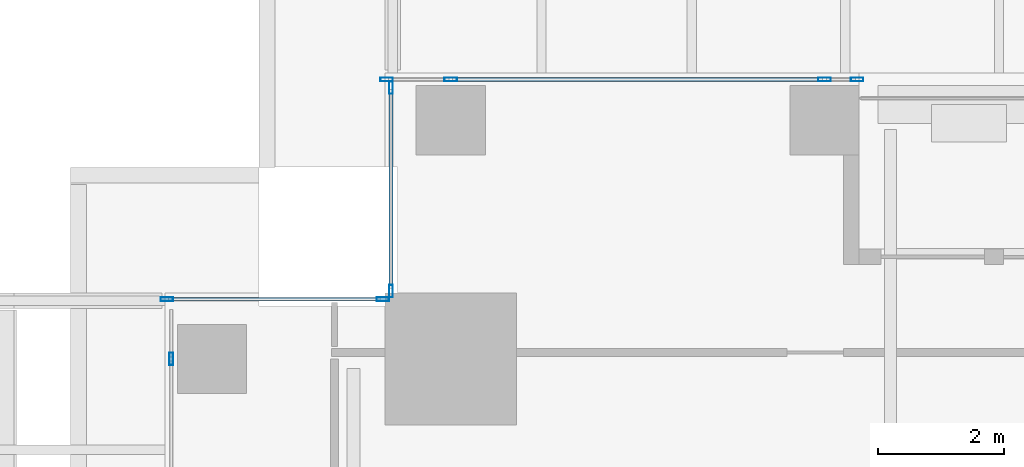
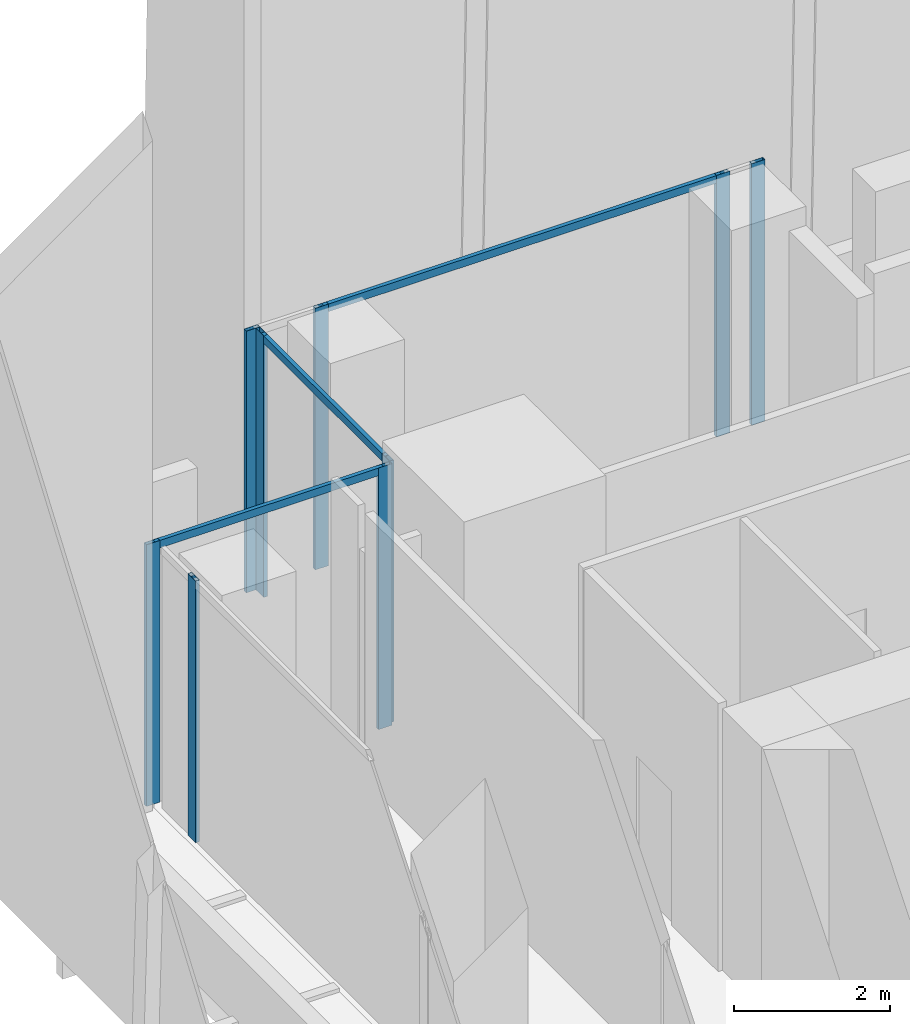
# One storey, part 14 of 37: 12 members, 4 elements without a shape of their own.
"""IFC4 building model written with IfcOpenShell, lengths in metres."""

import ifcopenshell
import ifcopenshell.guid

model = None  # the IFC model being written
_history = None  # IfcOwnerHistory: only IFC2X3 demands one
_inside = {}  # id of a spatial element -> (the spatial element, [elements in it])
_under = {}  # id of a project, library or spatial element -> (it, [spatial elements below it])
_declared = {}  # id of a project -> (the project, [libraries it declares])
_typed = {}  # id of a type object -> (the type object, [elements of that type])
_made_of = {}  # id of a material, layer set ... -> (it, [elements and type objects made of it])


def new_model(schema):
    """Start an empty IFC model of exactly this schema.

    Asked for "IFC4X3", IfcOpenShell would pick the latest addendum, in which some entities
    have other attributes; the version numbers below select the first issue.
    IFC2X3 requires an IfcOwnerHistory on every rooted entity: one is made here for all.
    """
    global model, _history
    if schema == "IFC4X3":
        model = ifcopenshell.file(schema_version=(4, 3, 0, 0))
    else:
        model = ifcopenshell.file(schema=schema)
    _inside.clear()
    _under.clear()
    _declared.clear()
    _typed.clear()
    _made_of.clear()
    _history = None
    if model.schema == "IFC2X3":
        org = make("IfcOrganization", Name="unknown")
        user = make(
            "IfcPersonAndOrganization",
            ThePerson=make("IfcPerson", FamilyName="unknown"),
            TheOrganization=org,
        )
        app = make(
            "IfcApplication",
            ApplicationDeveloper=org,
            Version="unknown",
            ApplicationFullName="unknown",
            ApplicationIdentifier="unknown",
        )
        _history = make(
            "IfcOwnerHistory",
            OwningUser=user,
            OwningApplication=app,
            ChangeAction="ADDED",
            CreationDate=0,
        )
    return model


def make(cls, **values):
    """One entity of the class cls with the attributes given. An attribute that is None is left unset."""
    return model.create_entity(
        cls, **{name: value for name, value in values.items() if value is not None}
    )


def rooted(cls, **values):
    """An entity with a GlobalId (a new one), such as an element, a storey or a relation."""
    return make(cls, GlobalId=ifcopenshell.guid.new(), OwnerHistory=_history, **values)


def si_unit(unit_type, name, prefix=None):
    """IfcSIUnit, for example si_unit("LENGTHUNIT", "METRE", prefix="MILLI")."""
    return make("IfcSIUnit", UnitType=unit_type, Prefix=prefix, Name=name)


def assignment(units):
    """IfcUnitAssignment: the units of a project."""
    return None if units is None else make("IfcUnitAssignment", Units=units)


def point(xyz):
    """IfcCartesianPoint."""
    return None if xyz is None else make("IfcCartesianPoint", Coordinates=xyz)


def direction(xyz):
    """IfcDirection."""
    return None if xyz is None else make("IfcDirection", DirectionRatios=xyz)


def frame(location, z_axis=None, x_axis=None):
    """IfcAxis2Placement3D, a coordinate frame: its origin and axes. An axis left out is left unset."""
    return make(
        "IfcAxis2Placement3D",
        Location=point(location),
        Axis=direction(z_axis),
        RefDirection=direction(x_axis),
    )


def frame_2d(location, x_axis=None):
    """IfcAxis2Placement2D, a coordinate frame in the plane: its origin and x axis."""
    return make(
        "IfcAxis2Placement2D", Location=point(location), RefDirection=direction(x_axis)
    )


def origin():
    """The frame at (0, 0, 0) with its axes left unset."""
    return frame((0.0, 0.0, 0.0))


def origin_2d():
    """The frame at (0, 0) in the plane with its x axis left unset."""
    return frame_2d((0.0, 0.0))


def place(relative_to, where):
    """IfcLocalPlacement: puts the frame where relative to a parent placement (None: the world)."""
    return make(
        "IfcLocalPlacement", PlacementRelTo=relative_to, RelativePlacement=where
    )


def context(
    kind, dimensions, precision=None, world=None, true_north=None, identifier=None
):
    """IfcGeometricRepresentationContext, for example the 3D "Model" context."""
    return make(
        "IfcGeometricRepresentationContext",
        ContextIdentifier=identifier,
        ContextType=kind,
        CoordinateSpaceDimension=dimensions,
        Precision=precision,
        WorldCoordinateSystem=world,
        TrueNorth=true_north,
    )


def subcontext(parent, identifier, kind, view, scale=None):
    """IfcGeometricRepresentationSubContext, for example "Body" below "Model"."""
    return make(
        "IfcGeometricRepresentationSubContext",
        ContextIdentifier=identifier,
        ContextType=kind,
        ParentContext=parent,
        TargetScale=scale,
        TargetView=view,
    )


def project(units=None, contexts=None):
    """IfcProject with its units and contexts."""
    return rooted(
        "IfcProject",
        Name="project",
        RepresentationContexts=contexts,
        UnitsInContext=assignment(units),
    )


def spatial(cls, under=None, at=None, **own):
    """A site, building, storey or space (cls), placed at a placement, below another one or the project."""
    s = rooted(cls, ObjectPlacement=at, **own)
    if under is not None:
        _under.setdefault(under.id(), (under, []))[1].append(s)
    return s


def profile(cls, at=None, kind="AREA", **sizes):
    """A parametric profile (cls). Its sizes go by their IFC names, for example OverallWidth=200.0."""
    return make(cls, ProfileType=kind, Position=at, **sizes)


def hollow_rectangle(**sizes):
    """IfcRectangleHollowProfileDef."""
    return profile("IfcRectangleHollowProfileDef", **sizes)


def extrude(swept, where, along, depth):
    """IfcExtrudedAreaSolid: the profile swept, set in the frame where, extruded along a direction by depth."""
    return make(
        "IfcExtrudedAreaSolid",
        SweptArea=swept,
        Position=where,
        ExtrudedDirection=direction(along),
        Depth=depth,
    )


def shape(context_of_items, identifier, shape_type, items):
    """IfcShapeRepresentation: the items that make up one representation, for example the "Body"."""
    return make(
        "IfcShapeRepresentation",
        ContextOfItems=context_of_items,
        RepresentationIdentifier=identifier,
        RepresentationType=shape_type,
        Items=items,
    )


def source(mapping_origin, context_of_items, identifier, shape_type, items):
    """IfcRepresentationMap: a shape defined once, which mapped items show again and again."""
    return make(
        "IfcRepresentationMap",
        MappingOrigin=mapping_origin,
        MappedRepresentation=shape(context_of_items, identifier, shape_type, items),
    )


def transform(
    local_origin,
    x_axis=None,
    y_axis=None,
    z_axis=None,
    scale=None,
    scale2=None,
    scale3=None,
    uniform=True,
):
    """IfcCartesianTransformationOperator3D, or its non-uniform kind. x_axis, y_axis, z_axis: its Axis1, 2, 3."""
    if uniform:
        return make(
            "IfcCartesianTransformationOperator3D",
            Axis1=direction(x_axis),
            Axis2=direction(y_axis),
            LocalOrigin=point(local_origin),
            Scale=scale,
            Axis3=direction(z_axis),
        )
    return make(
        "IfcCartesianTransformationOperator3DnonUniform",
        Axis1=direction(x_axis),
        Axis2=direction(y_axis),
        LocalOrigin=point(local_origin),
        Scale=scale,
        Axis3=direction(z_axis),
        Scale2=scale2,
        Scale3=scale3,
    )


def mapped(mapping_source, mapping_target):
    """IfcMappedItem: shows the shape of a source again, moved by a transform."""
    return make(
        "IfcMappedItem", MappingSource=mapping_source, MappingTarget=mapping_target
    )


def material(Name=None, Category=None):
    """IfcMaterial."""
    return make("IfcMaterial", Name=Name, Category=Category)


def material_profile(
    of_material, cross_section, Name=None, Category=None, Priority=None
):
    """IfcMaterialProfile: a cross section and its material."""
    return make(
        "IfcMaterialProfile",
        Name=Name,
        Material=of_material,
        Profile=cross_section,
        Priority=Priority,
        Category=Category,
    )


def profile_set(profiles, Name=None, composite=None):
    """IfcMaterialProfileSet."""
    return make(
        "IfcMaterialProfileSet",
        Name=Name,
        MaterialProfiles=profiles,
        CompositeProfile=composite,
    )


def made_of(thing, what):
    """Note that an element or type object is made of a material, layer set ...; save() writes the relation."""
    if what is not None:
        _made_of.setdefault(what.id(), (what, []))[1].append(thing)
    return thing


def type_object(cls, material=None, **own):
    """A type object (cls), such as IfcWallType, which elements share."""
    return made_of(rooted(cls, **own), material)


def element(
    cls,
    number,
    at=None,
    inside=None,
    cuts=None,
    type_object=None,
    material=None,
    context=None,
    identifier="Body",
    shape_type=None,
    held_by="IfcProductDefinitionShape",
    body=None,
    shapes=None,
    **own,
):
    """One element of the class cls, such as IfcWall. Its Tag is "e" and its number.

    at: its placement. inside: the storey or other place that contains it. cuts: it is an
    opening in that element (IfcRelVoidsElement). A single representation is given by context,
    identifier, shape_type and body (its items); several are given by shapes. held_by: the class
    of the entity that holds the representations. save() writes the other relations.
    """
    e = rooted(cls, Tag="e%d" % number, ObjectPlacement=at, **own)
    if body is not None:
        shapes = [shape(context, identifier, shape_type, body)]
    if shapes is not None:
        e.Representation = make(held_by, Representations=shapes)
    if inside is not None:
        _inside.setdefault(inside.id(), (inside, []))[1].append(e)
    if cuts is not None:
        rooted(
            "IfcRelVoidsElement", RelatingBuildingElement=cuts, RelatedOpeningElement=e
        )
    if type_object is not None:
        _typed.setdefault(type_object.id(), (type_object, []))[1].append(e)
    return made_of(e, material)


def aggregate(whole, parts):
    """IfcRelAggregates: a whole, such as a stair, and the parts it consists of."""
    return rooted("IfcRelAggregates", RelatingObject=whole, RelatedObjects=parts)


def save(model, path):
    """Write the relations noted so far, then the file.

    IfcRelAggregates (storeys below a building ...), IfcRelContainedInSpatialStructure (elements
    in a storey), IfcRelDefinesByType, IfcRelAssociatesMaterial and IfcRelDeclares: one each for
    every whole, place, type object, material and project.
    """
    for whole, parts in _under.values():
        aggregate(whole, parts)
    for where, things in _inside.values():
        rooted(
            "IfcRelContainedInSpatialStructure",
            RelatedElements=things,
            RelatingStructure=where,
        )
    for kind, things in _typed.values():
        rooted("IfcRelDefinesByType", RelatedObjects=things, RelatingType=kind)
    for what, things in _made_of.values():
        rooted("IfcRelAssociatesMaterial", RelatedObjects=things, RelatingMaterial=what)
    for by, libraries in _declared.values():
        rooted("IfcRelDeclares", RelatingContext=by, RelatedDefinitions=libraries)
    model.write(path)


model = new_model("IFC4")

# Units and contexts
model_context = context("Model", 3, precision=1e-05, world=origin(), true_north=direction((0.0, 1.0)))
body_context = subcontext(model_context, "Body", "Model", "MODEL_VIEW")
ifc_project = project(units=[si_unit("LENGTHUNIT", "METRE"), si_unit("AREAUNIT", "SQUARE_METRE"), si_unit("VOLUMEUNIT", "CUBIC_METRE"), si_unit("PLANEANGLEUNIT", "RADIAN"), si_unit("MASSUNIT", "GRAM", prefix="KILO")], contexts=[model_context])

# Site, building, storey
site_placement = place(None, origin())
site = spatial("IfcSite", under=ifc_project, at=site_placement, CompositionType="ELEMENT")
building_placement = place(site_placement, origin())
building = spatial("IfcBuilding", under=site, at=building_placement, Name="Khomas Fold Tower", CompositionType="ELEMENT")
storey_placement = place(building_placement, frame((0.0, 0.0, 101.5)))
storey = spatial("IfcBuildingStorey", under=building, at=storey_placement, Name="L21", CompositionType="ELEMENT", Elevation=101.5)

# Curtain wall, members
ifc_material_1 = material(Name="Aluminium framed double glazing", Category="aluminium")
curtain_wall_type = type_object("IfcCurtainWallType", Name="SK-Unitised clear-glass wall, growing floors CW1", PredefinedType="NOTDEFINED", material=ifc_material_1)
curtain_wall_1_placement = place(storey_placement, origin())
curtain_wall_1 = element("IfcCurtainWall", 1, at=curtain_wall_1_placement, inside=storey, type_object=curtain_wall_type, Name="CW1 run L21 06-1", PredefinedType="NOTDEFINED")
ifc_material_2 = material(Name="Aluminium", Category="aluminium")
ifc_material_profile_1 = material_profile(ifc_material_2, hollow_rectangle(XDim=0.06005859375, YDim=0.199951171875, WallThickness=0.00390625, at=origin_2d()), Name="SK-Unitised clear-glass wall, growing floors mullion CW1-M")
ifc_profile_set_1 = profile_set([ifc_material_profile_1], Name="Aluminium")
member_type_1 = type_object("IfcMemberType", Name="SK-Unitised clear-glass wall, growing floors mullion CW1-M", PredefinedType="MULLION", material=ifc_profile_set_1)
shared_shape_1 = source(origin(), body_context, "Body", "SweptSolid", [
    extrude(hollow_rectangle(XDim=0.06005859375, YDim=0.199951171875, WallThickness=0.00390625, at=origin_2d()), origin(), (0.0, 0.0, 1.0), 4.10009765625),
])
member_1_placement = place(storey_placement, frame((12.52001953125, 52.39990234375, 0.0), z_axis=(0.0, 0.0, 1.0), x_axis=(0.0, -1.0, 0.0)))
member_1 = element("IfcMember", 2, at=member_1_placement, type_object=member_type_1, Name="CW1 mullion 1", PredefinedType="MULLION", context=body_context, shape_type="MappedRepresentation", body=[
    mapped(shared_shape_1, transform((0.0, 0.0, 0.0))),
])
member_2_placement = place(storey_placement, frame((12.0, 52.39990234375, 0.0), z_axis=(0.0, 0.0, 1.0), x_axis=(0.0, -1.0, 0.0)))
member_2 = element("IfcMember", 3, at=member_2_placement, type_object=member_type_1, Name="CW1 mullion 2", PredefinedType="MULLION", context=body_context, shape_type="MappedRepresentation", body=[
    mapped(shared_shape_1, transform((0.0, 0.0, 0.0))),
])
member_3_placement = place(storey_placement, frame((6.050048828125, 52.39990234375, 0.0), z_axis=(0.0, 0.0, 1.0), x_axis=(0.0, -1.0, 0.0)))
member_3 = element("IfcMember", 4, at=member_3_placement, type_object=member_type_1, Name="CW1 mullion 3", PredefinedType="MULLION", context=body_context, shape_type="MappedRepresentation", body=[
    mapped(shared_shape_1, transform((0.0, 0.0, 0.0))),
])
member_4_placement = place(storey_placement, frame((5.030029296875, 52.39990234375, 0.0), z_axis=(0.0, 0.0, 1.0), x_axis=(0.0, -1.0, 0.0)))
member_4 = element("IfcMember", 5, at=member_4_placement, type_object=member_type_1, Name="CW1 mullion 4", PredefinedType="MULLION", context=body_context, shape_type="MappedRepresentation", body=[
    mapped(shared_shape_1, transform((0.0, 0.0, 0.0))),
])

curtain_wall_2_placement = place(storey_placement, origin())
curtain_wall_2 = element("IfcCurtainWall", 6, at=curtain_wall_2_placement, inside=storey, type_object=curtain_wall_type, Name="CW1 corner return L21 07", PredefinedType="NOTDEFINED")
member_5_placement = place(storey_placement, frame((5.10009765625, 52.27001953125, 0.0), z_axis=(0.0, 0.0, 1.0), x_axis=(1.0, 0.0, 0.0)))
member_5 = element("IfcMember", 7, at=member_5_placement, type_object=member_type_1, Name="CW1 mullion 1", PredefinedType="MULLION", context=body_context, shape_type="MappedRepresentation", body=[
    mapped(shared_shape_1, transform((0.0, 0.0, 0.0))),
])
member_6_placement = place(storey_placement, frame((5.10009765625, 49.030029296875, 0.0), z_axis=(0.0, 0.0, 1.0), x_axis=(1.0, 0.0, 0.0)))
member_6 = element("IfcMember", 8, at=member_6_placement, type_object=member_type_1, Name="CW1 mullion 2", PredefinedType="MULLION", context=body_context, shape_type="MappedRepresentation", body=[
    mapped(shared_shape_1, transform((0.0, 0.0, 0.0))),
])

curtain_wall_3_placement = place(storey_placement, origin())
curtain_wall_3 = element("IfcCurtainWall", 9, at=curtain_wall_3_placement, inside=storey, type_object=curtain_wall_type, Name="CW1 corner return L21 08", PredefinedType="NOTDEFINED")
member_7_placement = place(storey_placement, frame((4.969970703125, 48.89990234375, 0.0), z_axis=(0.0, 0.0, 1.0), x_axis=(0.0, -1.0, 0.0)))
member_7 = element("IfcMember", 10, at=member_7_placement, type_object=member_type_1, Name="CW1 mullion 1", PredefinedType="MULLION", context=body_context, shape_type="MappedRepresentation", body=[
    mapped(shared_shape_1, transform((0.0, 0.0, 0.0))),
])
member_8_placement = place(storey_placement, frame((1.530029296875, 48.89990234375, 0.0), z_axis=(0.0, 0.0, 1.0), x_axis=(0.0, -1.0, 0.0)))
member_8 = element("IfcMember", 11, at=member_8_placement, type_object=member_type_1, Name="CW1 mullion 2", PredefinedType="MULLION", context=body_context, shape_type="MappedRepresentation", body=[
    mapped(shared_shape_1, transform((0.0, 0.0, 0.0))),
])

# Curtain wall, member
curtain_wall_4_placement = place(storey_placement, origin())
curtain_wall_4 = element("IfcCurtainWall", 12, at=curtain_wall_4_placement, inside=storey, type_object=curtain_wall_type, Name="CW1 run L21 09-0", PredefinedType="NOTDEFINED")
member_9_placement = place(storey_placement, frame((1.60009765625, 47.949951171875, 0.0), z_axis=(0.0, 0.0, 1.0), x_axis=(1.0, 0.0, 0.0)))
member_9 = element("IfcMember", 13, at=member_9_placement, type_object=member_type_1, Name="CW1 mullion 2", PredefinedType="MULLION", context=body_context, shape_type="MappedRepresentation", body=[
    mapped(shared_shape_1, transform((0.0, 0.0, 0.0))),
])
aggregate(curtain_wall_4, [member_9])

# Member
ifc_material_3 = material(Name="Aluminium", Category="aluminium")
ifc_material_profile_2 = material_profile(ifc_material_3, hollow_rectangle(XDim=0.06005859375, YDim=0.1201171875, WallThickness=0.00390625, at=origin_2d()), Name="SK-Unitised clear-glass wall, growing floors transom CW1-T")
ifc_profile_set_2 = profile_set([ifc_material_profile_2], Name="Aluminium")
member_type_2 = type_object("IfcMemberType", Name="SK-Unitised clear-glass wall, growing floors transom CW1-T", PredefinedType="USERDEFINED", material=ifc_profile_set_2)
shared_shape_2 = source(origin(), body_context, "Body", "SweptSolid", [
    extrude(hollow_rectangle(XDim=0.06005859375, YDim=0.1201171875, WallThickness=0.00390625, at=origin_2d()), origin(), (0.0, 0.0, 1.0), 5.889892578125),
])
member_10_placement = place(storey_placement, frame((11.969970703125, 52.39990234375, 4.0400390625), z_axis=(-1.0, 0.0, 0.0), x_axis=(0.0, -1.0, 0.0)))
member_10 = element("IfcMember", 14, at=member_10_placement, type_object=member_type_2, Name="CW1 transom 2", ObjectType="TRANSOM", PredefinedType="USERDEFINED", context=body_context, shape_type="MappedRepresentation", body=[
    mapped(shared_shape_2, transform((0.0, 0.0, 0.0))),
])

aggregate(curtain_wall_1, [member_1, member_2, member_3, member_4, member_10])

shared_shape_3 = source(origin(), body_context, "Body", "SweptSolid", [
    extrude(hollow_rectangle(XDim=0.06005859375, YDim=0.1201171875, WallThickness=0.00390625, at=origin_2d()), origin(), (0.0, 0.0, 1.0), 3.179931640625),
])
member_11_placement = place(storey_placement, frame((5.10009765625, 52.239990234375, 4.0400390625), z_axis=(0.0, -1.0, 0.0), x_axis=(1.0, 0.0, 0.0)))
member_11 = element("IfcMember", 15, at=member_11_placement, type_object=member_type_2, Name="CW1 transom 1", ObjectType="TRANSOM", PredefinedType="USERDEFINED", context=body_context, shape_type="MappedRepresentation", body=[
    mapped(shared_shape_3, transform((0.0, 0.0, 0.0))),
])

aggregate(curtain_wall_2, [member_5, member_6, member_11])

shared_shape_4 = source(origin(), body_context, "Body", "SweptSolid", [
    extrude(hollow_rectangle(XDim=0.06005859375, YDim=0.1201171875, WallThickness=0.00390625, at=origin_2d()), origin(), (0.0, 0.0, 1.0), 3.3798828125),
])
member_12_placement = place(storey_placement, frame((4.93994140625, 48.89990234375, 4.0400390625), z_axis=(-1.0, 0.0, 0.0), x_axis=(0.0, -1.0, 0.0)))
member_12 = element("IfcMember", 16, at=member_12_placement, type_object=member_type_2, Name="CW1 transom 1", ObjectType="TRANSOM", PredefinedType="USERDEFINED", context=body_context, shape_type="MappedRepresentation", body=[
    mapped(shared_shape_4, transform((0.0, 0.0, 0.0))),
])

aggregate(curtain_wall_3, [member_7, member_8, member_12])

save(model, "model.ifc")
